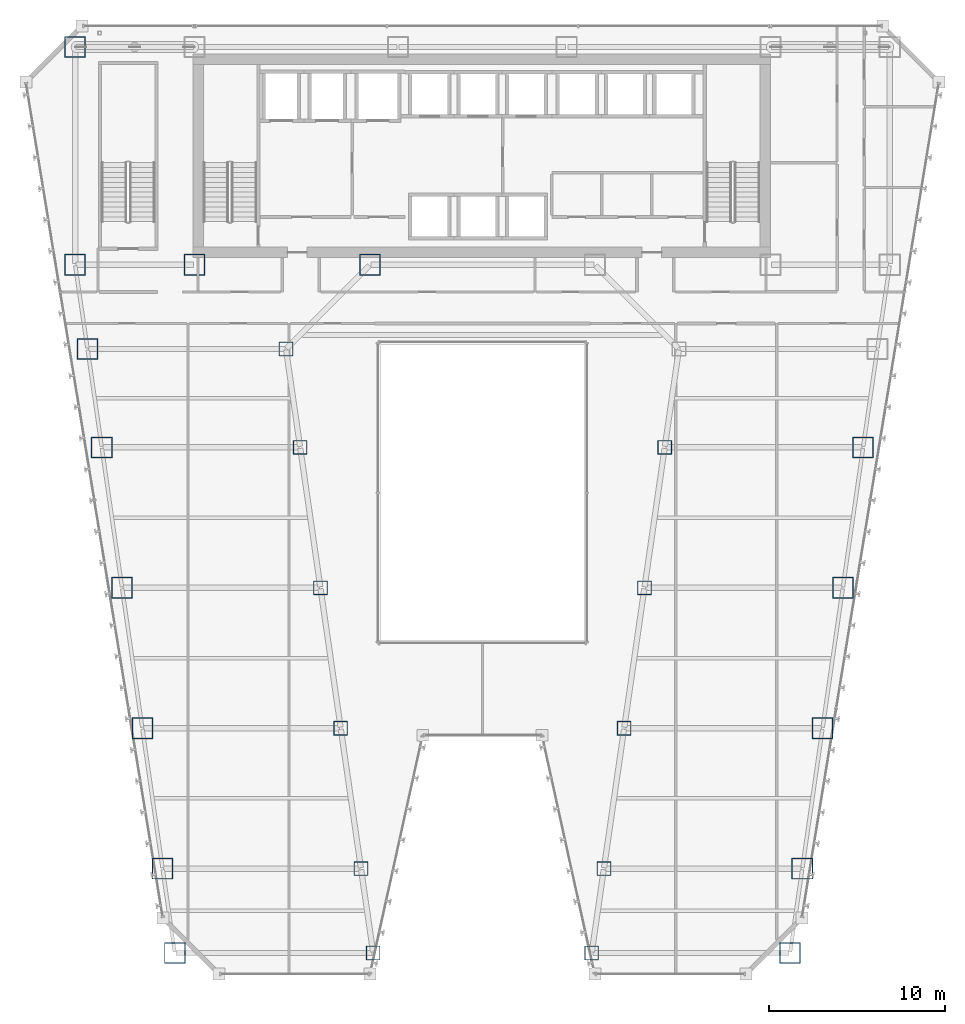
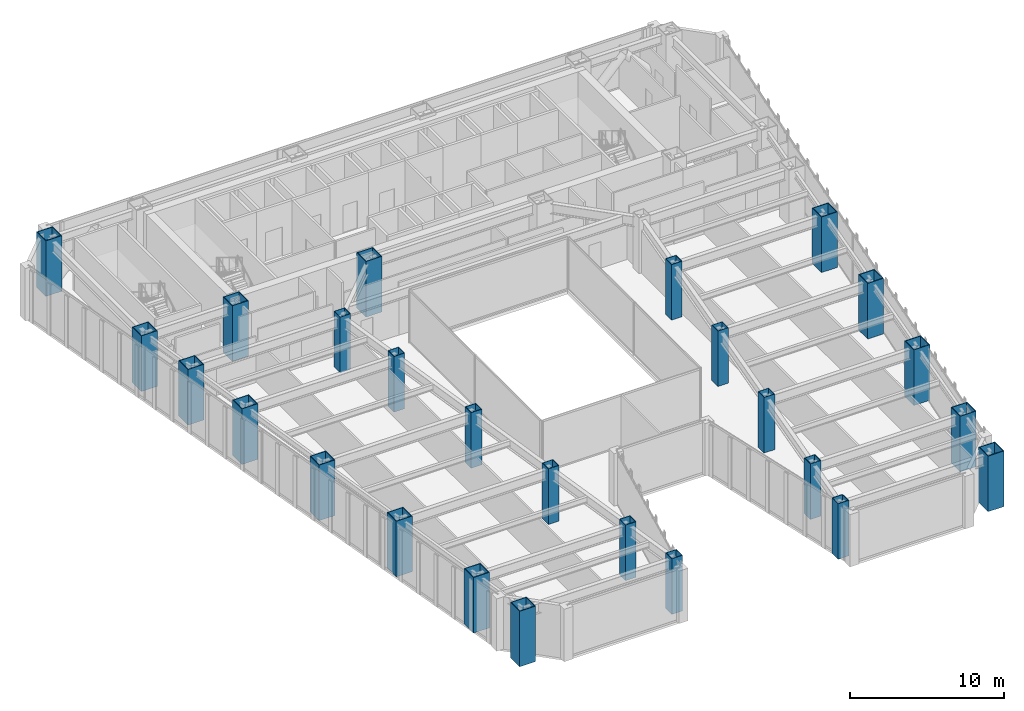
# One storey, part 1 of 47: 26 columns.
"""IFC4 building model written with IfcOpenShell, lengths in metres."""

from ifc_helpers import new_model, si_unit, direction, frame, origin, origin_2d, place, context, subcontext, project, spatial, hollow_rectangle, extrude, material, material_profile, profile_set, type_object, element, save


model = new_model("IFC4")

# Units and contexts
model_context = context("Model", 3, precision=1e-05, world=origin(), true_north=direction((0.0, 1.0)))
body_context = subcontext(model_context, "Body", "Model", "MODEL_VIEW")
ifc_project = project(units=[si_unit("LENGTHUNIT", "METRE"), si_unit("AREAUNIT", "SQUARE_METRE"), si_unit("VOLUMEUNIT", "CUBIC_METRE"), si_unit("PLANEANGLEUNIT", "RADIAN"), si_unit("MASSUNIT", "GRAM", prefix="KILO")], contexts=[model_context])

# Site, building, storey
site_placement = place(None, origin())
site = spatial("IfcSite", under=ifc_project, at=site_placement, CompositionType="ELEMENT")
building_placement = place(site_placement, origin())
building = spatial("IfcBuilding", under=site, at=building_placement, Name="Saevonmaru Cultural Tower", CompositionType="ELEMENT")
storey_placement = place(building_placement, frame((0.0, 0.0, 69.199951171875)))
storey = spatial("IfcBuildingStorey", under=building, at=storey_placement, Name="L14", CompositionType="ELEMENT", Elevation=69.199951171875)

# Columns
ifc_material_1 = material(Name="Steel HSA600 (600 MPa)", Category="steel")
ifc_material_profile_1 = material_profile(ifc_material_1, hollow_rectangle(XDim=1.199951171875, YDim=1.199951171875, WallThickness=0.054931640625, at=origin_2d()), Name="BOX-1200x1200x55")
ifc_profile_set_1 = profile_set([ifc_material_profile_1], Name="Steel HSA600 (600 MPa)")
column_type_1 = type_object("IfcColumnType", Name="COL-BOX-1200", PredefinedType="COLUMN", material=ifc_profile_set_1)
for number, where, z_axis, x_axis, name in (
    (1, (6.800048828125, 54.800048828125, 0.0), (0.0, 0.0, 1.0), (1.0, 0.0, 0.0), "L14 Column TC-N1N"),
    (2, (6.800048828125, 42.39990234375, 0.0), (0.0, 0.0, 1.0), (1.0, 0.0, 0.0), "L14 Column TC-S1C"),
    (3, (13.60009765625, 42.39990234375, 0.0), (0.0, 0.0, 1.0), (1.0, 0.0, 0.0), "L14 Column TC-S2C"),
    (4, (23.60009765625, 42.39990234375, 0.0), (0.0, 0.0, 1.0), (1.0, 0.0, 0.0), "L14 Column TC-S3C"),
    (5, (12.47705078125, 3.199951171875, 0.0), (0.0, 0.0, 1.0), (1.0, 0.0, 0.0), "L14 Column TC-WO-Y032"),
    (6, (47.52294921875, 3.199951171875, 0.0), (0.0, 0.0, 1.0), (1.0, 0.0, 0.0), "L14 Column TC-EO-Y032"),
    (7, (11.782958984375, 8.0, 0.0), (0.0, 0.0, 1.0), (1.0, 0.0, 0.0), "L14 Column TC-WO-Y080"),
    (8, (48.217041015625, 8.0, 0.0), (0.0, 0.0, 1.0), (1.0, 0.0, 0.0), "L14 Column TC-EO-Y080"),
    (9, (10.6279296875, 16.0, 0.0), (0.0, 0.0, 1.0), (1.0, 0.0, 0.0), "L14 Column TC-WO-Y160"),
    (10, (49.3720703125, 16.0, 0.0), (0.0, 0.0, 1.0), (1.0, 0.0, 0.0), "L14 Column TC-EO-Y160"),
    (11, (9.471923828125, 24.0, 0.0), (0.0, 0.0, 1.0), (1.0, 0.0, 0.0), "L14 Column TC-WO-Y240"),
    (12, (50.528076171875, 24.0, 0.0), (0.0, 0.0, 1.0), (1.0, 0.0, 0.0), "L14 Column TC-EO-Y240"),
    (13, (8.31689453125, 32.0, 0.0), (0.0, 0.0, 1.0), (1.0, 0.0, 0.0), "L14 Column TC-WO-Y320"),
    (14, (51.68310546875, 32.0, 0.0), (0.0, 0.0, 1.0), (1.0, 0.0, 0.0), "L14 Column TC-EO-Y320"),
    (15, (7.508056640625, 37.60009765625, 0.0), (0.0, 0.0, 1.0), (1.0, 0.0, 0.0), "L14 Column TC-WO-Y376"),
):
    element("IfcColumn", number, at=place(storey_placement, frame(where, z_axis=z_axis, x_axis=x_axis)), inside=storey, type_object=column_type_1, Name=name, PredefinedType="COLUMN", context=body_context, shape_type="SweptSolid", body=[
        extrude(hollow_rectangle(XDim=1.199951171875, YDim=1.199951171875, WallThickness=0.054931640625, at=origin_2d()), origin(), (0.0, 0.0, 1.0), 4.400146484375),
    ])
ifc_material_2 = material(Name="Steel SM420", Category="steel")
ifc_material_profile_2 = material_profile(ifc_material_2, hollow_rectangle(XDim=0.800048828125, YDim=0.800048828125, WallThickness=0.035888671875, at=origin_2d()), Name="BOX-800x800x36")
ifc_profile_set_2 = profile_set([ifc_material_profile_2], Name="Steel SM420")
column_type_2 = type_object("IfcColumnType", Name="COL-BOX-800", PredefinedType="COLUMN", material=ifc_profile_set_2)
for number, where, z_axis, x_axis, name in (
    (16, (23.777099609375, 3.199951171875, 0.0), (0.0, 0.0, 1.0), (1.0, 0.0, 0.0), "L14 Column TC-WI-Y032"),
    (17, (36.222900390625, 3.199951171875, 0.0), (0.0, 0.0, 1.0), (1.0, 0.0, 0.0), "L14 Column TC-EI-Y032"),
    (18, (23.0830078125, 8.0, 0.0), (0.0, 0.0, 1.0), (1.0, 0.0, 0.0), "L14 Column TC-WI-Y080"),
    (19, (36.9169921875, 8.0, 0.0), (0.0, 0.0, 1.0), (1.0, 0.0, 0.0), "L14 Column TC-EI-Y080"),
    (20, (21.927978515625, 16.0, 0.0), (0.0, 0.0, 1.0), (1.0, 0.0, 0.0), "L14 Column TC-WI-Y160"),
    (21, (38.072021484375, 16.0, 0.0), (0.0, 0.0, 1.0), (1.0, 0.0, 0.0), "L14 Column TC-EI-Y160"),
    (22, (20.77197265625, 24.0, 0.0), (0.0, 0.0, 1.0), (1.0, 0.0, 0.0), "L14 Column TC-WI-Y240"),
    (23, (39.22802734375, 24.0, 0.0), (0.0, 0.0, 1.0), (1.0, 0.0, 0.0), "L14 Column TC-EI-Y240"),
    (24, (19.616943359375, 32.0, 0.0), (0.0, 0.0, 1.0), (1.0, 0.0, 0.0), "L14 Column TC-WI-Y320"),
    (25, (40.383056640625, 32.0, 0.0), (0.0, 0.0, 1.0), (1.0, 0.0, 0.0), "L14 Column TC-EI-Y320"),
    (26, (18.80810546875, 37.60009765625, 0.0), (0.0, 0.0, 1.0), (1.0, 0.0, 0.0), "L14 Column TC-WI-Y376"),
):
    element("IfcColumn", number, at=place(storey_placement, frame(where, z_axis=z_axis, x_axis=x_axis)), inside=storey, type_object=column_type_2, Name=name, PredefinedType="COLUMN", context=body_context, shape_type="SweptSolid", body=[
        extrude(hollow_rectangle(XDim=0.800048828125, YDim=0.800048828125, WallThickness=0.035888671875, at=origin_2d()), origin(), (0.0, 0.0, 1.0), 4.400146484375),
    ])

save(model, "model.ifc")
